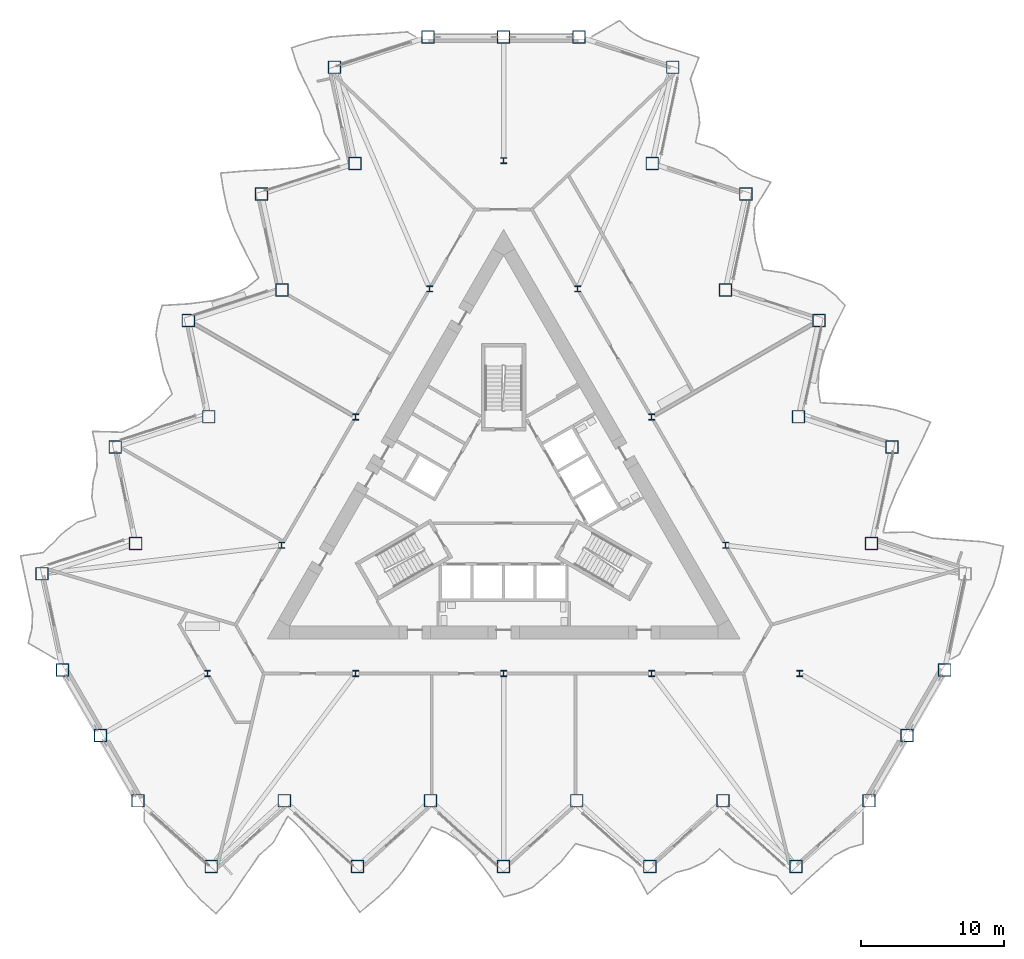
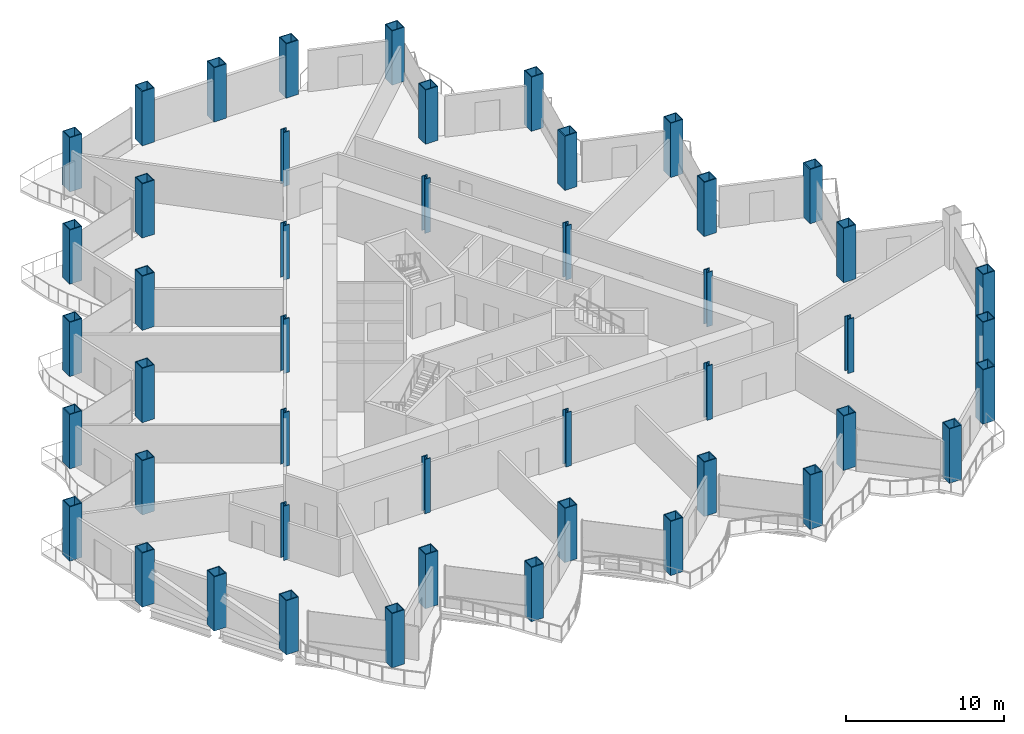
# One storey, part 1 of 21: 47 columns.
"""IFC4 building model written with IfcOpenShell, lengths in metres."""

from ifc_helpers import new_model, si_unit, direction, frame, origin, origin_2d, place, context, subcontext, project, spatial, hollow_rectangle, i_section, extrude, material, material_profile, profile_set, type_object, element, save


model = new_model("IFC4")

# Units and contexts
model_context = context("Model", 3, precision=1e-05, world=origin(), true_north=direction((0.0, 1.0)))
body_context = subcontext(model_context, "Body", "Model", "MODEL_VIEW")
ifc_project = project(units=[si_unit("LENGTHUNIT", "METRE"), si_unit("AREAUNIT", "SQUARE_METRE"), si_unit("VOLUMEUNIT", "CUBIC_METRE"), si_unit("PLANEANGLEUNIT", "RADIAN"), si_unit("MASSUNIT", "GRAM", prefix="KILO")], contexts=[model_context])

# Site, building, storey
site_placement = place(None, origin())
site = spatial("IfcSite", under=ifc_project, at=site_placement, CompositionType="ELEMENT")
building_placement = place(site_placement, origin())
building = spatial("IfcBuilding", under=site, at=building_placement, Name="Cormorant Prow Tower", CompositionType="ELEMENT")
storey_placement = place(building_placement, frame((0.0, 0.0, 116.39990234375)))
storey = spatial("IfcBuildingStorey", under=building, at=storey_placement, Name="L24", CompositionType="ELEMENT", Elevation=116.39990234375)

# Columns
ifc_material_1 = material(Name="Structural steel ASTM A572 Gr 50", Category="steel")
ifc_material_profile_1 = material_profile(ifc_material_1, hollow_rectangle(XDim=0.89990234375, YDim=0.89990234375, WallThickness=0.06005859375, at=origin_2d()), Name="Box 900x900x60")
ifc_profile_set_1 = profile_set([ifc_material_profile_1], Name="Structural steel ASTM A572 Gr 50")
column_type_1 = type_object("IfcColumnType", Name="Perimeter box column 900x900x60", PredefinedType="COLUMN", material=ifc_profile_set_1)
for number, where, z_axis, x_axis, name in (
    (1, (-25.499755859375, -20.80712890625, 0.0), (0.0, 0.0, 1.0), (1.0, 0.0, 0.0), "Perimeter column C3 at S00 L24"),
    (2, (-20.399658203125, -25.399169921875, 0.0), (0.0, 0.0, 1.0), (1.0, 0.0, 0.0), "Perimeter column C3 at S01 L24"),
    (3, (-15.2998046875, -20.80712890625, 0.0), (0.0, 0.0, 1.0), (1.0, 0.0, 0.0), "Perimeter column C3 at S02 L24"),
    (4, (-10.199951171875, -25.399169921875, 0.0), (0.0, 0.0, 1.0), (1.0, 0.0, 0.0), "Perimeter column C3 at S03 L24"),
    (5, (-5.099853515625, -20.80712890625, 0.0), (0.0, 0.0, 1.0), (1.0, 0.0, 0.0), "Perimeter column C3 at S04 L24"),
    (6, (0.0, -25.399169921875, 0.0), (0.0, 0.0, 1.0), (1.0, 0.0, 0.0), "Perimeter column C3 at S05 L24"),
    (7, (5.099853515625, -20.80712890625, 0.0), (0.0, 0.0, 1.0), (1.0, 0.0, 0.0), "Perimeter column C3 at S06 L24"),
    (8, (10.199951171875, -25.399169921875, 0.0), (0.0, 0.0, 1.0), (1.0, 0.0, 0.0), "Perimeter column C3 at S07 L24"),
    (9, (15.2998046875, -20.80712890625, 0.0), (0.0, 0.0, 1.0), (1.0, 0.0, 0.0), "Perimeter column C3 at S08 L24"),
    (10, (20.399658203125, -25.399169921875, 0.0), (0.0, 0.0, 1.0), (1.0, 0.0, 0.0), "Perimeter column C3 at S09 L24"),
    (11, (25.499755859375, -20.80712890625, 0.0), (0.0, 0.0, 1.0), (1.0, 0.0, 0.0), "Perimeter column C3 at ESE00 L24"),
    (12, (28.134521484375, -16.243408203125, 0.0), (0.0, 0.0, 1.0), (1.0, 0.0, 0.0), "Perimeter column C3 at ESE01 L24"),
    (13, (30.769287109375, -11.679931640625, 0.0), (0.0, 0.0, 1.0), (1.0, 0.0, 0.0), "Perimeter column C3 at ENE00 L24"),
    (14, (25.66943359375, -2.846435546875, 0.0), (0.0, 0.0, 1.0), (1.0, 0.0, 0.0), "Perimeter column C3 at ENE02 L24"),
    (15, (27.09619140625, 3.8662109375, 0.0), (0.0, 0.0, 1.0), (1.0, 0.0, 0.0), "Perimeter column C3 at ENE03 L24"),
    (16, (20.569580078125, 5.98681640625, 0.0), (0.0, 0.0, 1.0), (1.0, 0.0, 0.0), "Perimeter column C3 at ENE04 L24"),
    (17, (21.996337890625, 12.699462890625, 0.0), (0.0, 0.0, 1.0), (1.0, 0.0, 0.0), "Perimeter column C3 at ENE05 L24"),
    (18, (15.469482421875, 14.8203125, 0.0), (0.0, 0.0, 1.0), (1.0, 0.0, 0.0), "Perimeter column C3 at ENE06 L24"),
    (19, (16.896240234375, 21.532958984375, 0.0), (0.0, 0.0, 1.0), (1.0, 0.0, 0.0), "Perimeter column C3 at ENE07 L24"),
    (20, (10.36962890625, 23.653564453125, 0.0), (0.0, 0.0, 1.0), (1.0, 0.0, 0.0), "Perimeter column C3 at ENE08 L24"),
    (21, (11.79638671875, 30.3662109375, 0.0), (0.0, 0.0, 1.0), (1.0, 0.0, 0.0), "Perimeter column C3 at ENE09 L24"),
    (22, (5.269775390625, 32.487060546875, 0.0), (0.0, 0.0, 1.0), (1.0, 0.0, 0.0), "Perimeter column C3 at N00 L24"),
    (23, (0.0, 32.487060546875, 0.0), (0.0, 0.0, 1.0), (1.0, 0.0, 0.0), "Perimeter column C3 at N01 L24"),
    (24, (-5.269775390625, 32.487060546875, 0.0), (0.0, 0.0, 1.0), (1.0, 0.0, 0.0), "Perimeter column C3 at WNW00 L24"),
    (25, (-11.79638671875, 30.3662109375, 0.0), (0.0, 0.0, 1.0), (1.0, 0.0, 0.0), "Perimeter column C3 at WNW01 L24"),
    (26, (-10.36962890625, 23.653564453125, 0.0), (0.0, 0.0, 1.0), (1.0, 0.0, 0.0), "Perimeter column C3 at WNW02 L24"),
    (27, (-16.896240234375, 21.532958984375, 0.0), (0.0, 0.0, 1.0), (1.0, 0.0, 0.0), "Perimeter column C3 at WNW03 L24"),
    (28, (-15.469482421875, 14.8203125, 0.0), (0.0, 0.0, 1.0), (1.0, 0.0, 0.0), "Perimeter column C3 at WNW04 L24"),
    (29, (-21.996337890625, 12.699462890625, 0.0), (0.0, 0.0, 1.0), (1.0, 0.0, 0.0), "Perimeter column C3 at WNW05 L24"),
    (30, (-20.569580078125, 5.98681640625, 0.0), (0.0, 0.0, 1.0), (1.0, 0.0, 0.0), "Perimeter column C3 at WNW06 L24"),
    (31, (-27.09619140625, 3.8662109375, 0.0), (0.0, 0.0, 1.0), (1.0, 0.0, 0.0), "Perimeter column C3 at WNW07 L24"),
    (32, (-25.66943359375, -2.846435546875, 0.0), (0.0, 0.0, 1.0), (1.0, 0.0, 0.0), "Perimeter column C3 at WNW08 L24"),
    (33, (-32.1962890625, -4.967041015625, 0.0), (0.0, 0.0, 1.0), (1.0, 0.0, 0.0), "Perimeter column C3 at WNW09 L24"),
    (34, (-30.769287109375, -11.679931640625, 0.0), (0.0, 0.0, 1.0), (1.0, 0.0, 0.0), "Perimeter column C3 at WSW00 L24"),
    (35, (-28.134521484375, -16.243408203125, 0.0), (0.0, 0.0, 1.0), (1.0, 0.0, 0.0), "Perimeter column C3 at WSW01 L24"),
):
    element("IfcColumn", number, at=place(storey_placement, frame(where, z_axis=z_axis, x_axis=x_axis)), inside=storey, type_object=column_type_1, Name=name, PredefinedType="COLUMN", context=body_context, shape_type="SweptSolid", body=[
        extrude(hollow_rectangle(XDim=0.89990234375, YDim=0.89990234375, WallThickness=0.06005859375, at=origin_2d()), origin(), (0.0, 0.0, 1.0), 4.2001953125),
    ])
ifc_material_2 = material(Name="Structural steel ASTM A992 Gr 50", Category="steel")
ifc_material_profile_2 = material_profile(ifc_material_2, i_section(OverallWidth=0.412109375, OverallDepth=0.434814453125, WebThickness=0.035888671875, FlangeThickness=0.057373046875, at=origin_2d()), Name="W14x311")
ifc_profile_set_2 = profile_set([ifc_material_profile_2], Name="Structural steel ASTM A992 Gr 50")
column_type_2 = type_object("IfcColumnType", Name="Ring column W14x311", PredefinedType="COLUMN", material=ifc_profile_set_2)
for number, where, z_axis, x_axis, name in (
    (36, (0.0, 23.8525390625, 0.0), (0.0, 0.0, 1.0), (1.0, 0.0, 0.0), "Ring column 1 L24"),
    (37, (-5.164306640625, 14.907958984375, 0.0), (0.0, 0.0, 1.0), (1.0, 0.0, 0.0), "Ring column 2 L24"),
    (38, (-10.328369140625, 5.963134765625, 0.0), (0.0, 0.0, 1.0), (1.0, 0.0, 0.0), "Ring column 3 L24"),
    (39, (-15.49267578125, -2.981689453125, 0.0), (0.0, 0.0, 1.0), (1.0, 0.0, 0.0), "Ring column 4 L24"),
    (40, (-20.656982421875, -11.92626953125, 0.0), (0.0, 0.0, 1.0), (1.0, 0.0, 0.0), "Ring column 5 L24"),
    (41, (-10.328369140625, -11.92626953125, 0.0), (0.0, 0.0, 1.0), (1.0, 0.0, 0.0), "Ring column 6 L24"),
    (42, (0.0, -11.92626953125, 0.0), (0.0, 0.0, 1.0), (1.0, 0.0, 0.0), "Ring column 7 L24"),
    (43, (10.328369140625, -11.92626953125, 0.0), (0.0, 0.0, 1.0), (1.0, 0.0, 0.0), "Ring column 8 L24"),
    (44, (20.656982421875, -11.92626953125, 0.0), (0.0, 0.0, 1.0), (1.0, 0.0, 0.0), "Ring column 9 L24"),
    (45, (15.49267578125, -2.981689453125, 0.0), (0.0, 0.0, 1.0), (1.0, 0.0, 0.0), "Ring column 10 L24"),
    (46, (10.328369140625, 5.963134765625, 0.0), (0.0, 0.0, 1.0), (1.0, 0.0, 0.0), "Ring column 11 L24"),
    (47, (5.164306640625, 14.907958984375, 0.0), (0.0, 0.0, 1.0), (1.0, 0.0, 0.0), "Ring column 12 L24"),
):
    element("IfcColumn", number, at=place(storey_placement, frame(where, z_axis=z_axis, x_axis=x_axis)), inside=storey, type_object=column_type_2, Name=name, PredefinedType="COLUMN", context=body_context, shape_type="SweptSolid", body=[
        extrude(i_section(OverallWidth=0.412109375, OverallDepth=0.434814453125, WebThickness=0.035888671875, FlangeThickness=0.057373046875, at=origin_2d()), origin(), (0.0, 0.0, 1.0), 4.2001953125),
    ])

save(model, "model.ifc")
